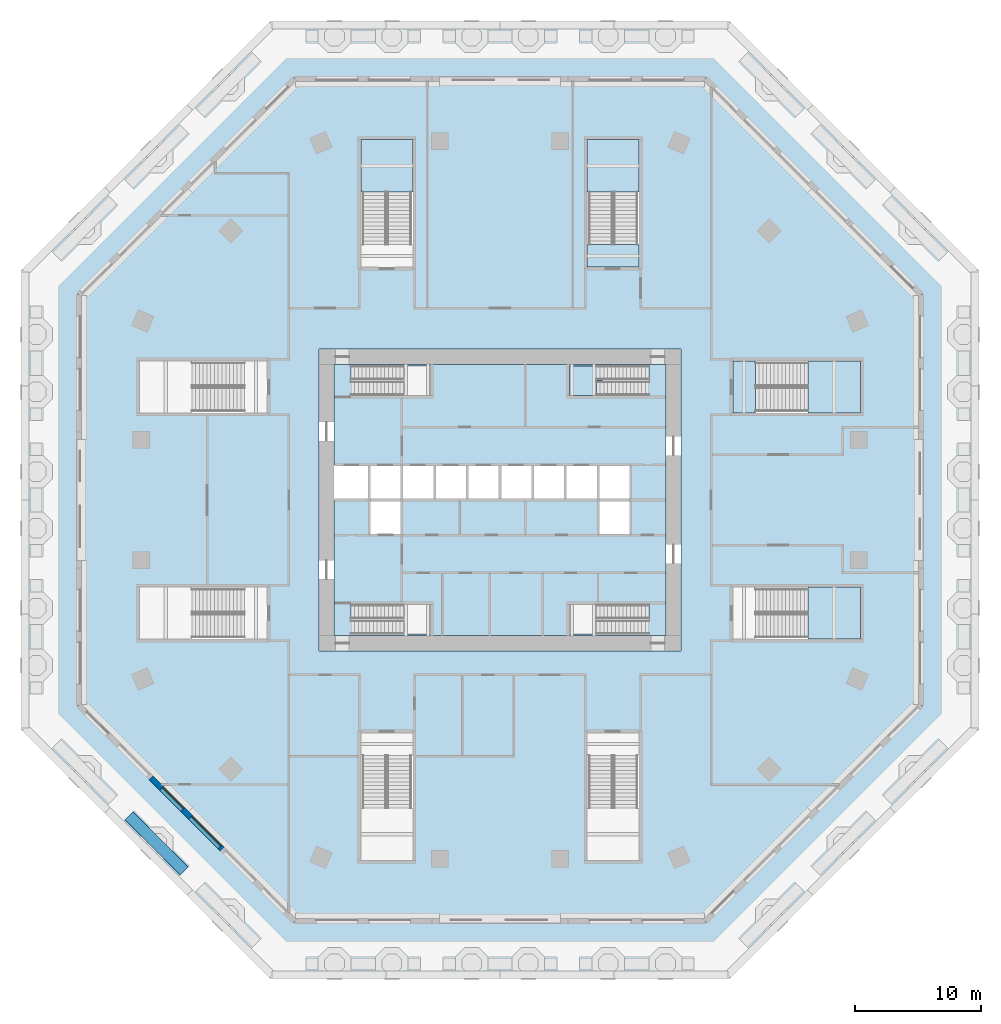
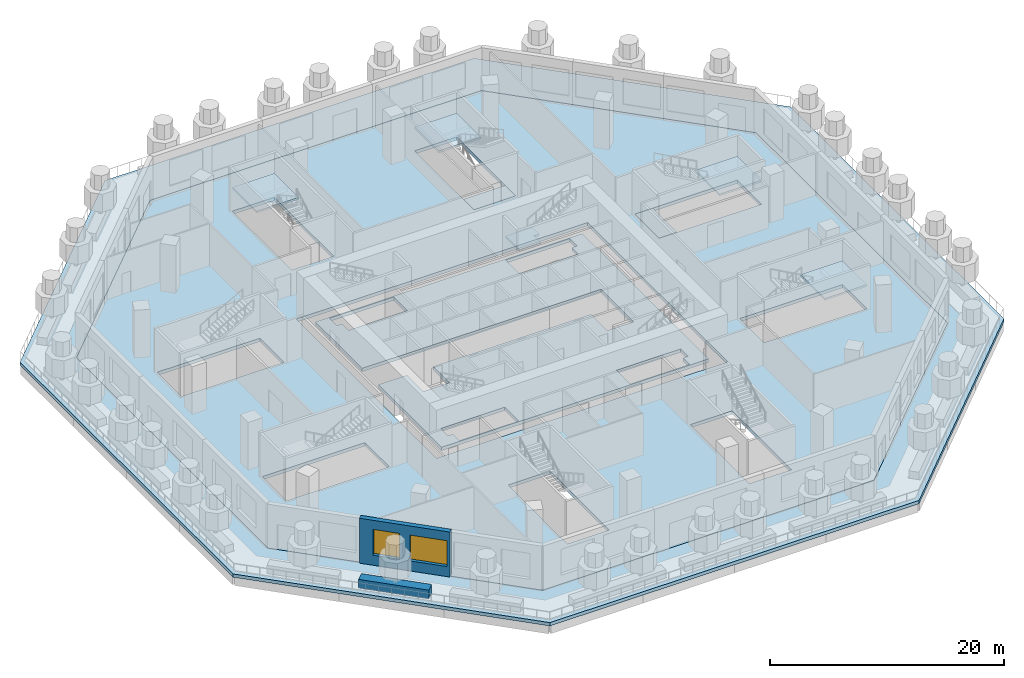
# One storey, part 2 of 13: 10 slabs, 2 walls, 2 windows, 2 openings, 5 elements without a shape of their own.
"""IFC4 building model written with IfcOpenShell, lengths in metres."""

from ifc_helpers import new_model, si_unit, direction, frame, frame_2d, origin, place, context, subcontext, project, spatial, polyline, rectangle, outline, extrude, material, layer, layer_set, type_object, element, fill, aggregate, save


model = new_model("IFC4")

# Units and contexts
model_context = context("Model", 3, precision=1e-05, world=origin(), true_north=direction((0.0, 1.0)))
body_context = subcontext(model_context, "Body", "Model", "MODEL_VIEW")
ifc_project = project(units=[si_unit("LENGTHUNIT", "METRE"), si_unit("AREAUNIT", "SQUARE_METRE"), si_unit("VOLUMEUNIT", "CUBIC_METRE"), si_unit("PLANEANGLEUNIT", "RADIAN"), si_unit("MASSUNIT", "GRAM", prefix="KILO")], contexts=[model_context])

# Site, building, storey
site_placement = place(None, origin())
site = spatial("IfcSite", under=ifc_project, at=site_placement, CompositionType="ELEMENT")
building_placement = place(site_placement, origin())
building = spatial("IfcBuilding", under=site, at=building_placement, Name="Msitu Wima Residences", CompositionType="ELEMENT")
storey_placement = place(building_placement, frame((0.0, 0.0, 16.0)))
storey = spatial("IfcBuildingStorey", under=building, at=storey_placement, Name="L03", CompositionType="ELEMENT", Elevation=16.0)

# Slabs
ifc_material_1 = material(Name="Concrete C40/50", Category="concrete")
ifc_layer_1 = layer(ifc_material_1, 0.35009765625)
ifc_layer_set_1 = layer_set([ifc_layer_1], Name="Concrete C40/50")
slab_type_1 = type_object("IfcSlabType", Name="Core floor CF350", PredefinedType="FLOOR", material=ifc_layer_set_1)
slab_1_placement = place(storey_placement, frame((0.0, 0.0, -0.35009765625)))
element("IfcSlab", 1, at=slab_1_placement, inside=storey, type_object=slab_type_1, Name="Core floor", PredefinedType="FLOOR", context=body_context, shape_type="SweptSolid", body=[
    extrude(outline(polyline([(-13.199951171875, 10.800048828125), (-13.199951171875, 2.800048828125), (-10.39990234375, 2.800048828125), (-7.800048828125, 2.800048828125), (-5.199951171875, 2.800048828125), (-2.60009765625, 2.800048828125), (0.0, 2.800048828125), (2.60009765625, 2.800048828125), (5.199951171875, 2.800048828125), (7.800048828125, 2.800048828125), (10.39990234375, 2.800048828125), (10.39990234375, 0.0), (10.39990234375, -2.800048828125), (7.800048828125, -2.800048828125), (7.800048828125, 0.0), (5.199951171875, 0.0), (2.60009765625, 0.0), (0.0, 0.0), (-2.60009765625, 0.0), (-5.199951171875, 0.0), (-7.800048828125, 0.0), (-7.800048828125, -2.800048828125), (-10.39990234375, -2.800048828125), (-10.39990234375, 0.0), (-13.199951171875, 0.0), (-13.199951171875, -10.800048828125), (13.199951171875, -10.800048828125), (13.199951171875, 10.800048828125), (-13.199951171875, 10.800048828125)]), holes=[polyline([(-11.375, -10.675048828125), (-11.375, -9.574951171875), (-11.87451171875, -9.574951171875), (-11.87451171875, -8.324951171875), (-5.52490234375, -8.324951171875), (-5.52490234375, -10.675048828125), (-11.375, -10.675048828125)]), polyline([(-11.375, 9.425048828125), (-11.87451171875, 9.425048828125), (-11.87451171875, 10.675048828125), (-5.52490234375, 10.675048828125), (-5.52490234375, 8.324951171875), (-11.375, 8.324951171875), (-11.375, 9.425048828125)]), polyline([(11.375, -9.574951171875), (11.375, -10.675048828125), (5.52490234375, -10.675048828125), (5.52490234375, -8.324951171875), (11.87451171875, -8.324951171875), (11.87451171875, -9.574951171875), (11.375, -9.574951171875)]), polyline([(11.375, 9.425048828125), (11.375, 8.324951171875), (5.52490234375, 8.324951171875), (5.52490234375, 10.675048828125), (11.87451171875, 10.675048828125), (11.87451171875, 9.425048828125), (11.375, 9.425048828125)])]), origin(), (0.0, 0.0, 1.0), 0.35009765625),
])
ifc_layer_2 = layer(ifc_material_1, 0.35009765625)
ifc_layer_set_2 = layer_set([ifc_layer_2], Name="Concrete C40/50")
slab_type_2 = type_object("IfcSlabType", Name="Floor slab FS350", PredefinedType="FLOOR", material=ifc_layer_set_2)
slab_2_placement = place(storey_placement, frame((0.0, 0.0, -0.35009765625)))
element("IfcSlab", 2, at=slab_2_placement, inside=storey, type_object=slab_type_2, Name="Floor slab L03", PredefinedType="FLOOR", context=body_context, shape_type="SweptSolid", body=[
    extrude(outline(polyline([(16.38818359375, -33.60009765625), (-16.38818359375, -33.60009765625), (-33.60009765625, -16.38818359375), (-33.60009765625, 16.38818359375), (-16.38818359375, 33.60009765625), (16.38818359375, 33.60009765625), (33.60009765625, 16.38818359375), (33.60009765625, -16.38818359375), (16.38818359375, -33.60009765625)]), holes=[polyline([(14.39990234375, 12.0), (-14.39990234375, 12.0), (-14.39990234375, -12.0), (14.39990234375, -12.0), (14.39990234375, 12.0)]), polyline([(18.52490234375, 6.925048828125), (28.675048828125, 6.925048828125), (28.675048828125, 11.074951171875), (18.52490234375, 11.074951171875), (18.52490234375, 6.925048828125)]), polyline([(28.675048828125, -6.925048828125), (18.52490234375, -6.925048828125), (18.52490234375, -11.074951171875), (28.675048828125, -11.074951171875), (28.675048828125, -6.925048828125)]), polyline([(-11.074951171875, 28.675048828125), (-11.074951171875, 18.52490234375), (-6.925048828125, 18.52490234375), (-6.925048828125, 28.675048828125), (-11.074951171875, 28.675048828125)]), polyline([(11.074951171875, 18.52490234375), (11.074951171875, 28.675048828125), (6.925048828125, 28.675048828125), (6.925048828125, 18.52490234375), (11.074951171875, 18.52490234375)]), polyline([(-18.52490234375, -6.925048828125), (-28.675048828125, -6.925048828125), (-28.675048828125, -11.074951171875), (-18.52490234375, -11.074951171875), (-18.52490234375, -6.925048828125)]), polyline([(-28.675048828125, 6.925048828125), (-18.52490234375, 6.925048828125), (-18.52490234375, 11.074951171875), (-28.675048828125, 11.074951171875), (-28.675048828125, 6.925048828125)]), polyline([(11.074951171875, -28.675048828125), (11.074951171875, -18.52490234375), (6.925048828125, -18.52490234375), (6.925048828125, -28.675048828125), (11.074951171875, -28.675048828125)]), polyline([(-11.074951171875, -18.52490234375), (-11.074951171875, -28.675048828125), (-6.925048828125, -28.675048828125), (-6.925048828125, -18.52490234375), (-11.074951171875, -18.52490234375)])]), origin(), (0.0, 0.0, 1.0), 0.35009765625),
])

# Stair, slab
stair_type_1 = type_object("IfcStairType", Name="Exit stair ES1667-110", PredefinedType="HALF_TURN_STAIR", material=ifc_material_1)
stair_1_placement = place(storey_placement, origin())
stair_1 = element("IfcStair", 3, at=stair_1_placement, inside=storey, type_object=stair_type_1, Name="Exit stair 3", PredefinedType="HALF_TURN_STAIR")
ifc_layer_3 = layer(ifc_material_1, 0.199951171875)
ifc_layer_set_3 = layer_set([ifc_layer_3], Name="Concrete C40/50")
slab_type_3 = type_object("IfcSlabType", Name="Stair landing SL200", PredefinedType="LANDING", material=ifc_layer_set_3)
slab_3_placement = place(storey_placement, frame((0.0, 0.0, 2.300048828125)))
slab_3 = element("IfcSlab", 4, at=slab_3_placement, type_object=slab_type_3, Name="S3 landing 1", PredefinedType="LANDING", context=body_context, shape_type="SweptSolid", body=[
    extrude(outline(polyline([(5.52490234375, 8.324951171875), (7.675537109375, 8.324951171875), (7.675537109375, 9.5), (8.175048828125, 9.5), (8.175048828125, 10.675048828125), (5.52490234375, 10.675048828125), (5.52490234375, 8.324951171875)])), origin(), (0.0, 0.0, 1.0), 0.199951171875),
])
aggregate(stair_1, [slab_3])

stair_type_2 = type_object("IfcStairType", Name="Podium exit stair PX1667-190", PredefinedType="HALF_TURN_STAIR", material=ifc_material_1)
stair_2_placement = place(storey_placement, origin())
stair_2 = element("IfcStair", 5, at=stair_2_placement, inside=storey, type_object=stair_type_2, Name="Podium exit stair 1", PredefinedType="HALF_TURN_STAIR")
slab_4_placement = place(storey_placement, frame((0.0, 0.0, 2.300048828125)))
slab_4 = element("IfcSlab", 6, at=slab_4_placement, type_object=slab_type_3, Name="PS1 landing 1", PredefinedType="LANDING", context=body_context, shape_type="SweptSolid", body=[
    extrude(outline(polyline([(24.52490234375, 6.925048828125), (28.675048828125, 6.925048828125), (28.675048828125, 11.074951171875), (24.52490234375, 11.074951171875), (24.52490234375, 6.925048828125)])), origin(), (0.0, 0.0, 1.0), 0.199951171875),
])
aggregate(stair_2, [slab_4])

# Slab
slab_5_placement = place(storey_placement, frame((0.0, 0.0, -0.199951171875)))
element("IfcSlab", 7, at=slab_5_placement, inside=storey, type_object=slab_type_3, Name="Podium exit stair 1 floor landing", PredefinedType="LANDING", context=body_context, shape_type="SweptSolid", body=[
    extrude(outline(polyline([(18.52490234375, 6.925048828125), (20.324951171875, 6.925048828125), (20.324951171875, 11.074951171875), (18.52490234375, 11.074951171875), (18.52490234375, 6.925048828125)])), origin(), (0.0, 0.0, 1.0), 0.199951171875),
])

# Stair, slab
stair_3_placement = place(storey_placement, origin())
stair_3 = element("IfcStair", 8, at=stair_3_placement, inside=storey, type_object=stair_type_2, Name="Podium exit stair 2", PredefinedType="HALF_TURN_STAIR")
slab_6_placement = place(storey_placement, frame((0.0, 0.0, 2.300048828125)))
slab_6 = element("IfcSlab", 9, at=slab_6_placement, type_object=slab_type_3, Name="PS2 landing 1", PredefinedType="LANDING", context=body_context, shape_type="SweptSolid", body=[
    extrude(outline(polyline([(24.52490234375, -6.925048828125), (28.675048828125, -6.925048828125), (28.675048828125, -11.074951171875), (24.52490234375, -11.074951171875), (24.52490234375, -6.925048828125)])), origin(), (0.0, 0.0, 1.0), 0.199951171875),
])
aggregate(stair_3, [slab_6])

stair_4_placement = place(storey_placement, origin())
stair_4 = element("IfcStair", 10, at=stair_4_placement, inside=storey, type_object=stair_type_2, Name="Podium exit stair 3", PredefinedType="HALF_TURN_STAIR")
slab_7_placement = place(storey_placement, frame((0.0, 0.0, 2.300048828125)))
slab_7 = element("IfcSlab", 11, at=slab_7_placement, type_object=slab_type_3, Name="PS3 landing 1", PredefinedType="LANDING", context=body_context, shape_type="SweptSolid", body=[
    extrude(outline(polyline([(-6.925048828125, 24.52490234375), (-6.925048828125, 28.675048828125), (-11.074951171875, 28.675048828125), (-11.074951171875, 24.52490234375), (-6.925048828125, 24.52490234375)])), origin(), (0.0, 0.0, 1.0), 0.199951171875),
])
aggregate(stair_4, [slab_7])

stair_5_placement = place(storey_placement, origin())
stair_5 = element("IfcStair", 12, at=stair_5_placement, inside=storey, type_object=stair_type_2, Name="Podium exit stair 4", PredefinedType="HALF_TURN_STAIR")
slab_8_placement = place(storey_placement, frame((0.0, 0.0, 2.300048828125)))
slab_8 = element("IfcSlab", 13, at=slab_8_placement, type_object=slab_type_3, Name="PS4 landing 1", PredefinedType="LANDING", context=body_context, shape_type="SweptSolid", body=[
    extrude(outline(polyline([(6.925048828125, 24.52490234375), (6.925048828125, 28.675048828125), (11.074951171875, 28.675048828125), (11.074951171875, 24.52490234375), (6.925048828125, 24.52490234375)])), origin(), (0.0, 0.0, 1.0), 0.199951171875),
])
aggregate(stair_5, [slab_8])

# Slabs
slab_9_placement = place(storey_placement, frame((0.0, 0.0, -0.199951171875)))
element("IfcSlab", 14, at=slab_9_placement, inside=storey, type_object=slab_type_3, Name="Podium exit stair 4 floor landing", PredefinedType="LANDING", context=body_context, shape_type="SweptSolid", body=[
    extrude(outline(polyline([(6.925048828125, 18.52490234375), (6.925048828125, 20.324951171875), (11.074951171875, 20.324951171875), (11.074951171875, 18.52490234375), (6.925048828125, 18.52490234375)])), origin(), (0.0, 0.0, 1.0), 0.199951171875),
])
ifc_layer_4 = layer(ifc_material_1, 0.35009765625)
ifc_layer_set_4 = layer_set([ifc_layer_4], Name="Concrete C40/50")
slab_type_4 = type_object("IfcSlabType", Name="Terrace roof slab TS350", PredefinedType="ROOF", material=ifc_layer_set_4)
slab_10_placement = place(storey_placement, frame((0.0, 0.0, -0.35009765625)))
element("IfcSlab", 15, at=slab_10_placement, inside=storey, type_object=slab_type_4, Name="Garden terrace L02 roof slab", PredefinedType="ROOF", context=body_context, shape_type="SweptSolid", body=[
    extrude(outline(polyline([(18.252197265625, -38.10009765625), (-18.252197265625, -38.10009765625), (-38.10009765625, -18.252197265625), (-38.10009765625, 18.252197265625), (-18.252197265625, 38.10009765625), (18.252197265625, 38.10009765625), (38.10009765625, 18.252197265625), (38.10009765625, -18.252197265625), (18.252197265625, -38.10009765625)]), holes=[polyline([(33.60009765625, 16.38818359375), (16.38818359375, 33.60009765625), (-16.38818359375, 33.60009765625), (-33.60009765625, 16.38818359375), (-33.60009765625, -16.38818359375), (-16.38818359375, -33.60009765625), (16.38818359375, -33.60009765625), (33.60009765625, -16.38818359375), (33.60009765625, 16.38818359375)])]), origin(), (0.0, 0.0, 1.0), 0.35009765625),
])

# Wall, openings, windows
ifc_material_2 = material(Name="Brick (red buff mix), cavity wall of two leaves", Category="masonry")
ifc_layer_5 = layer(ifc_material_2, 0.449951171875)
ifc_layer_set_5 = layer_set([ifc_layer_5], Name="Brick (red buff mix), cavity wall of two leaves")
wall_type_1 = type_object("IfcWallType", Name="Brick infill wall BW450 podium", PredefinedType="ELEMENTEDWALL", material=ifc_layer_set_5)
wall_1_placement = place(storey_placement, frame((-27.780517578125, -22.101806640625, 0.0), z_axis=(0.0, 0.0, 1.0), x_axis=(0.707106781187, -0.707106781187, 0.0)))
wall_1 = element("IfcWall", 16, at=wall_1_placement, inside=storey, type_object=wall_type_1, Name="Brick infill wall L03 SW1", PredefinedType="ELEMENTEDWALL", context=body_context, shape_type="SweptSolid", body=[
    extrude(rectangle(XDim=8.031005859375, YDim=0.449951171875, at=frame_2d((4.015625, 0.0))), origin(), (0.0, 0.0, 1.0), 4.699951171875),
])
opening_1_placement = place(wall_1_placement, frame((1.209228515625, 0.0, 1.050048828125)))
opening_1 = element("IfcOpeningElement", 17, at=opening_1_placement, cuts=wall_1, Name="Opening W03.032", PredefinedType="OPENING", context=body_context, shape_type="SweptSolid", body=[
    extrude(rectangle(XDim=2.360107421875, YDim=2.699951171875, at=frame_2d((1.18017578125, 1.35009765625))), frame((0.0, 0.23486328125, 0.0), z_axis=(0.0, -1.0, 0.0), x_axis=(1.0, 0.0, 0.0)), (0.0, 0.0, 1.0), 0.469970703125),
])
opening_2_placement = place(wall_1_placement, frame((4.46533203125, 0.0, 1.050048828125)))
opening_2 = element("IfcOpeningElement", 18, at=opening_2_placement, cuts=wall_1, Name="Opening W03.033", PredefinedType="OPENING", context=body_context, shape_type="SweptSolid", body=[
    extrude(rectangle(XDim=3.300048828125, YDim=2.699951171875, at=frame_2d((1.64990234375, 1.35009765625))), frame((0.0, 0.23486328125, 0.0), z_axis=(0.0, -1.0, 0.0), x_axis=(1.0, 0.0, 0.0)), (0.0, 0.0, 1.0), 0.469970703125),
])
ifc_material_3 = material(Name="Anodised aluminium, bronze finish, clear low-emissivity double glazing", Category="aluminium")
window_type_1 = type_object("IfcWindowType", Name="Window W2360x2700", PartitioningType="DOUBLE_PANEL_VERTICAL", PredefinedType="WINDOW", material=ifc_material_3)
window_1_placement = place(opening_1_placement, origin())
window_1 = element("IfcWindow", 19, at=window_1_placement, inside=storey, type_object=window_type_1, Name="Window L03 SW1.1c", OverallHeight=2.699951171875, OverallWidth=2.360107421875, PartitioningType="SINGLE_PANEL", PredefinedType="WINDOW", context=body_context, shape_type="SweptSolid", body=[
    extrude(rectangle(XDim=2.360107421875, YDim=2.699951171875, at=frame_2d((1.18017578125, 1.35009765625))), frame((0.0, 0.135009765625, 0.0), z_axis=(0.0, -1.0, 0.0), x_axis=(1.0, 0.0, 0.0)), (0.0, 0.0, 1.0), 0.06005859375),
])
fill(opening_1, window_1)
window_type_2 = type_object("IfcWindowType", Name="Window W3300x2700", PartitioningType="DOUBLE_PANEL_VERTICAL", PredefinedType="WINDOW", material=ifc_material_3)
window_2_placement = place(opening_2_placement, origin())
window_2 = element("IfcWindow", 20, at=window_2_placement, inside=storey, type_object=window_type_2, Name="Window L03 SW1.2", OverallHeight=2.699951171875, OverallWidth=3.300048828125, PartitioningType="SINGLE_PANEL", PredefinedType="WINDOW", context=body_context, shape_type="SweptSolid", body=[
    extrude(rectangle(XDim=3.300048828125, YDim=2.699951171875, at=frame_2d((1.64990234375, 1.35009765625))), frame((0.0, 0.135009765625, 0.0), z_axis=(0.0, -1.0, 0.0), x_axis=(1.0, 0.0, 0.0)), (0.0, 0.0, 1.0), 0.06005859375),
])
fill(opening_2, window_2)

# Wall
ifc_material_4 = material(Name="Facing brick")
ifc_layer_6 = layer(ifc_material_4, 0.06494140625, Name="Facing brick")
ifc_layer_7 = layer(ifc_material_1, 0.381103515625, Name="Concrete C40/50")
ifc_material_5 = material(Name="Waterproofing membrane")
ifc_layer_8 = layer(ifc_material_5, 0.00390625, Name="Waterproofing membrane")
ifc_material_6 = material(Name="Planting soil and planting")
ifc_layer_9 = layer(ifc_material_6, 0.449951171875, Name="Planting soil and planting")
ifc_layer_set_6 = layer_set([ifc_layer_6, ifc_layer_7, ifc_layer_8, ifc_layer_9], Name="Concrete C40/50")
wall_type_2 = type_object("IfcWallType", Name="Terrace planter PLANTER PL900", PredefinedType="USERDEFINED", material=ifc_layer_set_6)
wall_2_placement = place(storey_placement, frame((-29.530517578125, -25.12451171875, 0.0), z_axis=(0.0, 0.0, 1.0), x_axis=(0.707106781187, -0.707106781187, 0.0)))
element("IfcWall", 21, at=wall_2_placement, inside=storey, type_object=wall_type_2, Name="Terrace planter L03 SW1", ObjectType="PLANTER", PredefinedType="USERDEFINED", context=body_context, shape_type="SweptSolid", body=[
    extrude(rectangle(XDim=6.23095703125, YDim=0.89990234375, at=frame_2d((3.115478515625, 0.0))), origin(), (0.0, 0.0, 1.0), 0.89990234375),
])

save(model, "model.ifc")
